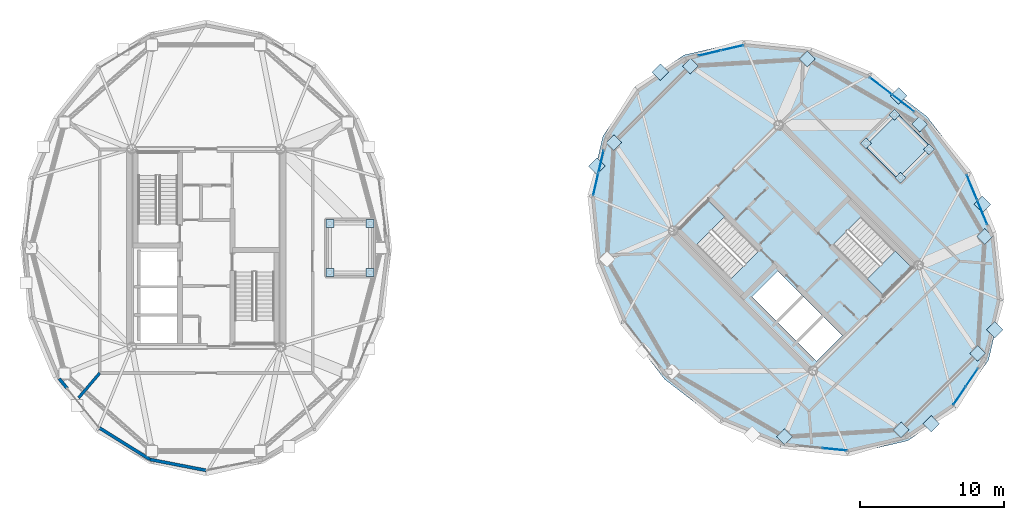
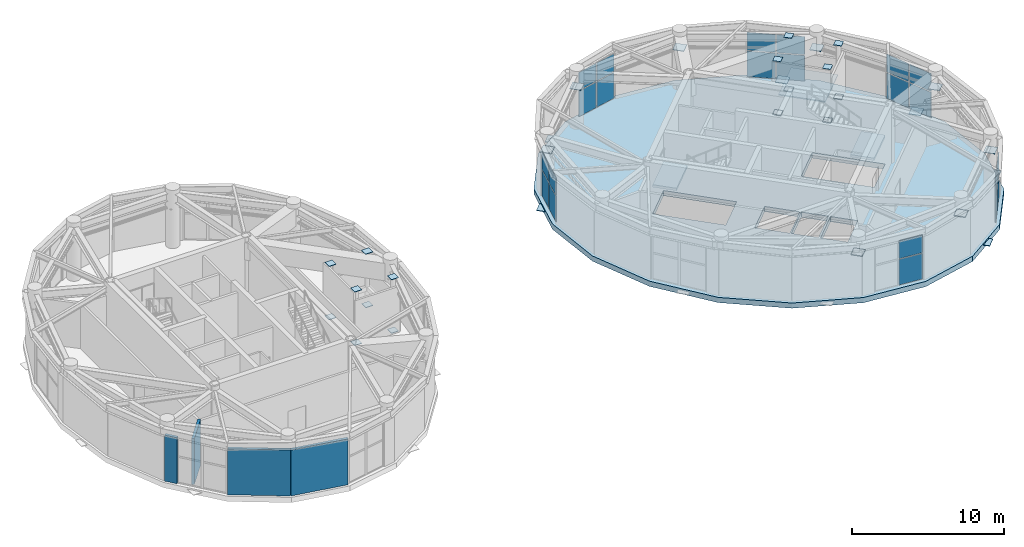
# One storey, part 22 of 28: 53 plates, 4 walls, 3 slabs, 8 elements without a shape of their own.
"""IFC4 building model written with IfcOpenShell, lengths in metres."""

from ifc_helpers import new_model, si_unit, direction, frame, frame_2d, origin, origin_2d, place, context, subcontext, project, spatial, polyline, rectangle, outline, extrude, source, transform, mapped, material, layer, layer_set, type_object, element, aggregate, save


model = new_model("IFC4")

# Units and contexts
model_context = context("Model", 3, precision=1e-05, world=origin(), true_north=direction((0.0, 1.0)))
body_context = subcontext(model_context, "Body", "Model", "MODEL_VIEW")
ifc_project = project(units=[si_unit("LENGTHUNIT", "METRE"), si_unit("AREAUNIT", "SQUARE_METRE"), si_unit("VOLUMEUNIT", "CUBIC_METRE"), si_unit("PLANEANGLEUNIT", "RADIAN"), si_unit("MASSUNIT", "GRAM", prefix="KILO")], contexts=[model_context])

# Site, building, storey
site_placement = place(None, origin())
site = spatial("IfcSite", under=ifc_project, at=site_placement, CompositionType="ELEMENT")
building_placement = place(site_placement, origin())
building = spatial("IfcBuilding", under=site, at=building_placement, Name="Cununo Teusaquillo Station Towers", CompositionType="ELEMENT")
storey_placement = place(building_placement, frame((0.0, 0.0, 235.64990234375)))
storey = spatial("IfcBuildingStorey", under=building, at=storey_placement, Name="L75", CompositionType="ELEMENT", Elevation=235.64990234375)

# Stair, slab
ifc_material_1 = material(Name="Concrete C50/60", Category="concrete")
stair_type = type_object("IfcStairType", Name="ST-TWR-1300", PredefinedType="HALF_TURN_STAIR", material=ifc_material_1)
stair_1_placement = place(storey_placement, origin())
stair_1 = element("IfcStair", 1, at=stair_1_placement, inside=storey, type_object=stair_type, Name="L75 Tower B Protected Core Exit Stair 1", PredefinedType="HALF_TURN_STAIR")
ifc_material_2 = material(Name="Concrete C50/60", Category="concrete")
ifc_layer_1 = layer(ifc_material_2, 0.199951171875)
ifc_layer_set_1 = layer_set([ifc_layer_1], Name="Concrete C50/60")
slab_type_1 = type_object("IfcSlabType", Name="SLB-STAIR-LND", PredefinedType="LANDING", material=ifc_layer_set_1)
slab_1_placement = place(storey_placement, frame((0.0, 0.0, 2.14013671875)))
slab_1 = element("IfcSlab", 2, at=slab_1_placement, type_object=slab_type_1, Name="ST-T2-1 landing 1", PredefinedType="LANDING", context=body_context, shape_type="SweptSolid", body=[
    extrude(outline(polyline([(52.543212890625, 26.65673828125), (51.390625, 27.809326171875), (49.43896484375, 25.857666015625), (50.591552734375, 24.705078125), (52.543212890625, 26.65673828125)])), origin(), (0.0, 0.0, 1.0), 0.199951171875),
])
aggregate(stair_1, [slab_1])

stair_2_placement = place(storey_placement, origin())
stair_2 = element("IfcStair", 3, at=stair_2_placement, inside=storey, type_object=stair_type, Name="L75 Tower B Protected Core Exit Stair 2", PredefinedType="HALF_TURN_STAIR")
slab_2_placement = place(storey_placement, frame((0.0, 0.0, 2.14013671875)))
slab_2 = element("IfcSlab", 4, at=slab_2_placement, type_object=slab_type_1, Name="ST-T2-2 landing 1", PredefinedType="LANDING", context=body_context, shape_type="SweptSolid", body=[
    extrude(outline(polyline([(62.456787109375, 22.34326171875), (63.609375, 21.190673828125), (65.56103515625, 23.142333984375), (64.408447265625, 24.294921875), (62.456787109375, 22.34326171875)])), origin(), (0.0, 0.0, 1.0), 0.199951171875),
])
aggregate(stair_2, [slab_2])

# Slab
ifc_material_3 = material(Name="Concrete C60/75", Category="concrete")
ifc_layer_2 = layer(ifc_material_3, 0.419921875)
ifc_layer_set_2 = layer_set([ifc_layer_2], Name="Concrete C60/75")
slab_type_2 = type_object("IfcSlabType", Name="SLB-TMD-420", PredefinedType="FLOOR", material=ifc_layer_set_2)
slab_3_placement = place(storey_placement, frame((0.0, 0.0, -0.419921875)))
element("IfcSlab", 5, at=slab_3_placement, inside=storey, type_object=slab_type_2, Name="L75 Tower B Floor Slab", PredefinedType="FLOOR", context=body_context, shape_type="SweptSolid", body=[
    extrude(outline(polyline([(66.628662109375, 33.628662109375), (62.740478515625, 36.623291015625), (58.339111328125, 38.431396484375), (53.855712890625, 38.875732421875), (49.72900390625, 37.912841796875), (46.363037109375, 35.636962890625), (44.087158203125, 32.27099609375), (43.124267578125, 28.144287109375), (43.568603515625, 23.660888671875), (45.376708984375, 19.259521484375), (48.371337890625, 15.371337890625), (52.259521484375, 12.376708984375), (56.660888671875, 10.568603515625), (61.144287109375, 10.124267578125), (65.27099609375, 11.087158203125), (68.636962890625, 13.363037109375), (70.912841796875, 16.72900390625), (71.875732421875, 20.855712890625), (71.431396484375, 25.339111328125), (69.623291015625, 29.740478515625), (66.628662109375, 33.628662109375)]), holes=[polyline([(54.914794921875, 24.28515625), (51.390625, 27.809326171875), (49.43896484375, 25.857666015625), (52.963134765625, 22.33349609375), (54.914794921875, 24.28515625)]), polyline([(60.085205078125, 24.71484375), (63.609375, 21.190673828125), (65.56103515625, 23.142333984375), (62.036865234375, 26.66650390625), (60.085205078125, 24.71484375)]), polyline([(56.156494140625, 19.40869140625), (57.945556640625, 21.19775390625), (56.248291015625, 22.89501953125), (54.45947265625, 21.10595703125), (56.156494140625, 19.40869140625)]), polyline([(58.94970703125, 16.61572265625), (60.738525390625, 18.40478515625), (59.430419921875, 19.712890625), (57.641357421875, 17.923828125), (58.94970703125, 16.61572265625)]), polyline([(57.535400390625, 18.030029296875), (59.32421875, 19.819091796875), (58.01611328125, 21.127197265625), (56.227294921875, 19.338134765625), (57.535400390625, 18.030029296875)])]), origin(), (0.0, 0.0, 1.0), 0.419921875),
])

# Plates
ifc_material_4 = material(Name="Steel ASTM A572 Grade 50", Category="steel")
ifc_layer_3 = layer(ifc_material_4, 0.0400390625)
ifc_layer_set_3 = layer_set([ifc_layer_3], Name="Steel ASTM A572 Grade 50")
plate_type_1 = type_object("IfcPlateType", Name="PLT-NODE-CRN1", PredefinedType="USERDEFINED", material=ifc_layer_set_3)
shared_shape_1 = source(origin(), body_context, "Body", "SweptSolid", [
    extrude(rectangle(XDim=0.780029296875, YDim=0.780029296875, at=origin_2d()), origin(), (0.0, 0.0, 1.0), 0.0400390625),
])
for number, where, z_axis, x_axis, name in (
    (6, (66.10693359375, 33.10693359375, 3.130126953125), (0.0, 0.0, 1.0), (0.707106781187, 0.707106781187, 0.0), "L75 Tower B Crown Drum Node CRN1 01"),
    (7, (58.291015625, 37.63525390625, 3.130126953125), (0.0, 0.0, 1.0), (0.707106781187, 0.707106781187, 0.0), "L75 Tower B Crown Drum Node CRN1 02"),
    (8, (50.173095703125, 37.146240234375, 3.130126953125), (0.0, 0.0, 1.0), (0.707106781187, 0.707106781187, 0.0), "L75 Tower B Crown Drum Node CRN1 03"),
    (9, (44.853759765625, 31.826904296875, 3.130126953125), (0.0, 0.0, 1.0), (0.707106781187, 0.707106781187, 0.0), "L75 Tower B Crown Drum Node CRN1 04"),
    (10, (56.708984375, 11.36474609375, 3.130126953125), (0.0, 0.0, 1.0), (0.707106781187, 0.707106781187, 0.0), "L75 Tower B Crown Drum Node CRN1 07"),
    (11, (64.826904296875, 11.853759765625, 3.130126953125), (0.0, 0.0, 1.0), (0.707106781187, 0.707106781187, 0.0), "L75 Tower B Crown Drum Node CRN1 08"),
    (12, (70.146240234375, 17.173095703125, 3.130126953125), (0.0, 0.0, 1.0), (0.707106781187, 0.707106781187, 0.0), "L75 Tower B Crown Drum Node CRN1 09"),
    (13, (70.63525390625, 25.291015625, 3.130126953125), (0.0, 0.0, 1.0), (0.707106781187, 0.707106781187, 0.0), "L75 Tower B Crown Drum Node CRN1 10"),
):
    element("IfcPlate", number, at=place(storey_placement, frame(where, z_axis=z_axis, x_axis=x_axis)), inside=storey, type_object=plate_type_1, Name=name, ObjectType="GUSSET PLATE", PredefinedType="USERDEFINED", context=body_context, shape_type="MappedRepresentation", body=[
        mapped(shared_shape_1, transform((0.0, 0.0, 0.0), x_axis=(1.0, 0.0, 0.0), y_axis=(0.0, 1.0, 0.0), z_axis=(0.0, 0.0, 1.0), scale=1.0)),
    ])
ifc_material_5 = material(Name="Steel ASTM A572 Grade 50", Category="steel")
ifc_layer_4 = layer(ifc_material_5, 0.044921875)
ifc_layer_set_4 = layer_set([ifc_layer_4], Name="Steel ASTM A572 Grade 50")
plate_type_2 = type_object("IfcPlateType", Name="PLT-NODE-DN2", PredefinedType="USERDEFINED", material=ifc_layer_set_4)
shared_shape_2 = source(origin(), body_context, "Body", "SweptSolid", [
    extrude(rectangle(XDim=0.820068359375, YDim=0.820068359375, at=origin_2d()), origin(), (0.0, 0.0, 1.0), 0.044921875),
])
for number, where, z_axis, x_axis, name in (
    (14, (64.649658203125, 35.078125, -0.162353515625), (0.0, 0.0, 1.0), (0.707106781187, 0.707106781187, 0.0), "L75 Tower B Diagrid Node Assembly C00"),
    (15, (48.080810546875, 36.72705078125, -0.162353515625), (0.0, 0.0, 1.0), (0.707106781187, 0.707106781187, 0.0), "L75 Tower B Diagrid Node Assembly C04"),
    (16, (43.662109375, 30.189208984375, -0.162353515625), (0.0, 0.0, 1.0), (0.707106781187, 0.707106781187, 0.0), "L75 Tower B Diagrid Node Assembly C06"),
    (17, (66.919189453125, 12.27294921875, -0.162353515625), (0.0, 0.0, 1.0), (0.707106781187, 0.707106781187, 0.0), "L75 Tower B Diagrid Node Assembly C14"),
    (18, (71.337890625, 18.810791015625, -0.162353515625), (0.0, 0.0, 1.0), (0.707106781187, 0.707106781187, 0.0), "L75 Tower B Diagrid Node Assembly C16"),
    (19, (70.47119140625, 27.521484375, -0.162353515625), (0.0, 0.0, 1.0), (0.707106781187, 0.707106781187, 0.0), "L75 Tower B Diagrid Node Assembly C18"),
):
    element("IfcPlate", number, at=place(storey_placement, frame(where, z_axis=z_axis, x_axis=x_axis)), inside=storey, type_object=plate_type_2, Name=name, ObjectType="GUSSET PLATE", PredefinedType="USERDEFINED", context=body_context, shape_type="MappedRepresentation", body=[
        mapped(shared_shape_2, transform((0.0, 0.0, 0.0), x_axis=(1.0, 0.0, 0.0), y_axis=(0.0, 1.0, 0.0), z_axis=(0.0, 0.0, 1.0), scale=1.0)),
    ])
shared_shape_3 = source(origin(), body_context, "Body", "SweptSolid", [
    extrude(rectangle(XDim=0.550048828125, YDim=0.550048828125, at=origin_2d()), origin(), (0.0, 0.0, 1.0), 0.0400390625),
])
for number, where, z_axis, x_axis, name in (
    (20, (25.10009765625, 22.800048828125, 0.0), (0.0, 0.0, 1.0), (1.0, 0.0, 0.0), "L75 Tower A TMD Post Plate BP 1"),
    (21, (25.10009765625, 22.800048828125, 4.300048828125), (0.0, 0.0, 1.0), (1.0, 0.0, 0.0), "L75 Tower A TMD Post Plate TP 1"),
    (22, (27.89990234375, 22.800048828125, 0.0), (0.0, 0.0, 1.0), (1.0, 0.0, 0.0), "L75 Tower A TMD Post Plate BP 2"),
    (23, (27.89990234375, 22.800048828125, 4.300048828125), (0.0, 0.0, 1.0), (1.0, 0.0, 0.0), "L75 Tower A TMD Post Plate TP 2"),
    (24, (27.89990234375, 26.199951171875, 0.0), (0.0, 0.0, 1.0), (1.0, 0.0, 0.0), "L75 Tower A TMD Post Plate BP 3"),
    (25, (27.89990234375, 26.199951171875, 4.300048828125), (0.0, 0.0, 1.0), (1.0, 0.0, 0.0), "L75 Tower A TMD Post Plate TP 3"),
    (26, (25.10009765625, 26.199951171875, 0.0), (0.0, 0.0, 1.0), (1.0, 0.0, 0.0), "L75 Tower A TMD Post Plate BP 4"),
    (27, (25.10009765625, 26.199951171875, 4.300048828125), (0.0, 0.0, 1.0), (1.0, 0.0, 0.0), "L75 Tower A TMD Post Plate TP 4"),
    (28, (64.783203125, 29.37890625, 0.0), (0.0, 0.0, 1.0), (0.707106781187, 0.707106781187, 0.0), "L75 Tower B TMD Post Plate BP 1"),
    (29, (64.783203125, 29.37890625, 4.300048828125), (0.0, 0.0, 1.0), (0.707106781187, 0.707106781187, 0.0), "L75 Tower B TMD Post Plate TP 1"),
    (30, (66.76318359375, 31.35888671875, 0.0), (0.0, 0.0, 1.0), (0.707106781187, 0.707106781187, 0.0), "L75 Tower B TMD Post Plate BP 2"),
    (31, (66.76318359375, 31.35888671875, 4.300048828125), (0.0, 0.0, 1.0), (0.707106781187, 0.707106781187, 0.0), "L75 Tower B TMD Post Plate TP 2"),
    (32, (64.35888671875, 33.76318359375, 0.0), (0.0, 0.0, 1.0), (0.707106781187, 0.707106781187, 0.0), "L75 Tower B TMD Post Plate BP 3"),
    (33, (64.35888671875, 33.76318359375, 4.300048828125), (0.0, 0.0, 1.0), (0.707106781187, 0.707106781187, 0.0), "L75 Tower B TMD Post Plate TP 3"),
    (34, (62.37890625, 31.783203125, 0.0), (0.0, 0.0, 1.0), (0.707106781187, 0.707106781187, 0.0), "L75 Tower B TMD Post Plate BP 4"),
    (35, (62.37890625, 31.783203125, 4.300048828125), (0.0, 0.0, 1.0), (0.707106781187, 0.707106781187, 0.0), "L75 Tower B TMD Post Plate TP 4"),
):
    element("IfcPlate", number, at=place(storey_placement, frame(where, z_axis=z_axis, x_axis=x_axis)), inside=storey, type_object=plate_type_1, Name=name, ObjectType="GUSSET PLATE", PredefinedType="USERDEFINED", context=body_context, shape_type="MappedRepresentation", body=[
        mapped(shared_shape_3, transform((0.0, 0.0, 0.0), x_axis=(1.0, 0.0, 0.0), y_axis=(0.0, 1.0, 0.0), z_axis=(0.0, 0.0, 1.0), scale=1.0)),
    ])
ifc_material_6 = material(Name="Steel ASTM A572 Grade 50", Category="steel")
ifc_layer_5 = layer(ifc_material_6, 0.090087890625)
ifc_layer_set_5 = layer_set([ifc_layer_5], Name="Steel ASTM A572 Grade 50")
plate_type_3 = type_object("IfcPlateType", Name="PLT-TMD-MASS", PredefinedType="SHEET", material=ifc_layer_set_5)
shared_shape_4 = source(origin(), body_context, "Body", "SweptSolid", [
    extrude(rectangle(XDim=3.199951171875, YDim=3.199951171875, at=origin_2d()), origin(), (0.0, 0.0, 1.0), 0.090087890625),
])
plate_1_placement = place(storey_placement, frame((64.571044921875, 31.571044921875, 1.55029296875), z_axis=(0.0, 0.0, 1.0), x_axis=(0.707106781187, 0.707106781187, 0.0)))
element("IfcPlate", 36, at=plate_1_placement, inside=storey, type_object=plate_type_3, Name="L75 Tower B Tuned Mass Damper Steel Inertia Mass", PredefinedType="SHEET", context=body_context, shape_type="MappedRepresentation", body=[
    mapped(shared_shape_4, transform((0.0, 0.0, 0.0), x_axis=(1.0, 0.0, 0.0), y_axis=(0.0, 1.0, 0.0), z_axis=(0.0, 0.0, 1.0), scale=1.0)),
])

# Curtain wall, plates
ifc_material_7 = material(Name="Ceramic-fritted dark low-E double glazing", Category="glass")
ifc_layer_6 = layer(ifc_material_7, 0.179931640625)
ifc_layer_set_6 = layer_set([ifc_layer_6], Name="Ceramic-fritted dark low-E double glazing")
curtain_wall_type = type_object("IfcCurtainWallType", Name="CW-SYS-08", PredefinedType="USERDEFINED", material=ifc_layer_set_6)
curtain_wall_1_placement = place(storey_placement, origin())
curtain_wall_1 = element("IfcCurtainWall", 37, at=curtain_wall_1_placement, inside=storey, type_object=curtain_wall_type, Name="L75 Tower B Crown Drum Glazed Screen C00", ObjectType="FRITTED GLAZING", PredefinedType="USERDEFINED")
ifc_material_8 = material(Name="Ceramic-fritted dark low-E double glazing", Category="glass")
ifc_layer_7 = layer(ifc_material_8, 0.030029296875)
ifc_layer_set_7 = layer_set([ifc_layer_7], Name="Ceramic-fritted dark low-E double glazing")
plate_type_4 = type_object("IfcPlateType", Name="CWP-DRUM-30", PredefinedType="CURTAIN_PANEL", material=ifc_layer_set_7)
shared_shape_5 = source(origin(), body_context, "Body", "SweptSolid", [
    extrude(rectangle(XDim=1.8876953125, YDim=0.030029296875, at=origin_2d()), origin(), (0.0, 0.0, 1.0), 2.052490234375),
])
plate_2_placement = place(storey_placement, frame((63.412353515625, 35.758056640625, 0.06494140625), z_axis=(0.0, 0.0, 1.0), x_axis=(0.791965285757, -0.610566119397, 0.0)))
plate_2 = element("IfcPlate", 38, at=plate_2_placement, type_object=plate_type_4, Name="CW-08 panel 1.1", PredefinedType="CURTAIN_PANEL", context=body_context, shape_type="MappedRepresentation", body=[
    mapped(shared_shape_5, transform((0.0, 0.0, 0.0), x_axis=(1.0, 0.0, 0.0), y_axis=(0.0, 1.0, 0.0), z_axis=(0.0, 0.0, 1.0), scale=1.0)),
])
plate_3_placement = place(storey_placement, frame((64.958740234375, 34.565673828125, 0.06494140625), z_axis=(0.0, 0.0, 1.0), x_axis=(0.791965285757, -0.610566119397, 0.0)))
plate_3 = element("IfcPlate", 39, at=plate_3_placement, type_object=plate_type_4, Name="CW-08 panel 2.1", PredefinedType="CURTAIN_PANEL", context=body_context, shape_type="MappedRepresentation", body=[
    mapped(shared_shape_5, transform((0.0, 0.0, 0.0), x_axis=(1.0, 0.0, 0.0), y_axis=(0.0, 1.0, 0.0), z_axis=(0.0, 0.0, 1.0), scale=1.0)),
])
shared_shape_6 = source(origin(), body_context, "Body", "SweptSolid", [
    extrude(rectangle(XDim=1.8876953125, YDim=0.030029296875, at=origin_2d()), origin(), (0.0, 0.0, 1.0), 1.448486328125),
])
plate_4_placement = place(storey_placement, frame((63.412353515625, 35.758056640625, 2.1826171875), z_axis=(0.0, 0.0, 1.0), x_axis=(0.791965285757, -0.610566119397, 0.0)))
plate_4 = element("IfcPlate", 40, at=plate_4_placement, type_object=plate_type_4, Name="CW-08 panel 1.2", PredefinedType="CURTAIN_PANEL", context=body_context, shape_type="MappedRepresentation", body=[
    mapped(shared_shape_6, transform((0.0, 0.0, 0.0), x_axis=(1.0, 0.0, 0.0), y_axis=(0.0, 1.0, 0.0), z_axis=(0.0, 0.0, 1.0), scale=1.0)),
])
plate_5_placement = place(storey_placement, frame((64.958740234375, 34.565673828125, 2.1826171875), z_axis=(0.0, 0.0, 1.0), x_axis=(0.791965285757, -0.610566119397, 0.0)))
plate_5 = element("IfcPlate", 41, at=plate_5_placement, type_object=plate_type_4, Name="CW-08 panel 2.2", PredefinedType="CURTAIN_PANEL", context=body_context, shape_type="MappedRepresentation", body=[
    mapped(shared_shape_6, transform((0.0, 0.0, 0.0), x_axis=(1.0, 0.0, 0.0), y_axis=(0.0, 1.0, 0.0), z_axis=(0.0, 0.0, 1.0), scale=1.0)),
])
aggregate(curtain_wall_1, [plate_2, plate_4, plate_3, plate_5])

curtain_wall_2_placement = place(storey_placement, origin())
curtain_wall_2 = element("IfcCurtainWall", 42, at=curtain_wall_2_placement, inside=storey, type_object=curtain_wall_type, Name="L75 Tower B Crown Drum Glazed Screen C12", ObjectType="FRITTED GLAZING", PredefinedType="USERDEFINED")
shared_shape_7 = source(origin(), body_context, "Body", "SweptSolid", [
    extrude(rectangle(XDim=1.6865234375, YDim=0.030029296875, at=origin_2d()), origin(), (0.0, 0.0, 1.0), 2.052490234375),
])
plate_6_placement = place(storey_placement, frame((60.19677734375, 10.4921875, 0.06494140625), z_axis=(0.0, 0.0, 1.0), x_axis=(-0.994934273111, 0.1005275693, 0.0)))
plate_6 = element("IfcPlate", 43, at=plate_6_placement, type_object=plate_type_4, Name="CW-08 panel 1.1", PredefinedType="CURTAIN_PANEL", context=body_context, shape_type="MappedRepresentation", body=[
    mapped(shared_shape_7, transform((0.0, 0.0, 0.0), x_axis=(1.0, 0.0, 0.0), y_axis=(0.0, 1.0, 0.0), z_axis=(0.0, 0.0, 1.0), scale=1.0)),
])
shared_shape_8 = source(origin(), body_context, "Body", "SweptSolid", [
    extrude(rectangle(XDim=1.6865234375, YDim=0.030029296875, at=origin_2d()), origin(), (0.0, 0.0, 1.0), 1.448486328125),
])
plate_7_placement = place(storey_placement, frame((60.19677734375, 10.4921875, 2.1826171875), z_axis=(0.0, 0.0, 1.0), x_axis=(-0.994934273111, 0.1005275693, 0.0)))
plate_7 = element("IfcPlate", 44, at=plate_7_placement, type_object=plate_type_4, Name="CW-08 panel 1.2", PredefinedType="CURTAIN_PANEL", context=body_context, shape_type="MappedRepresentation", body=[
    mapped(shared_shape_8, transform((0.0, 0.0, 0.0), x_axis=(1.0, 0.0, 0.0), y_axis=(0.0, 1.0, 0.0), z_axis=(0.0, 0.0, 1.0), scale=1.0)),
])
aggregate(curtain_wall_2, [plate_6, plate_7])

curtain_wall_3_placement = place(storey_placement, origin())
curtain_wall_3 = element("IfcCurtainWall", 45, at=curtain_wall_3_placement, inside=storey, type_object=curtain_wall_type, Name="L75 Tower B Crown Drum Glazed Screen C15", ObjectType="FRITTED GLAZING", PredefinedType="USERDEFINED")
shared_shape_9 = source(origin(), body_context, "Body", "SweptSolid", [
    extrude(rectangle(XDim=1.46533203125, YDim=0.030029296875, at=origin_2d()), origin(), (0.0, 0.0, 1.0), 2.052490234375),
])
plate_8_placement = place(storey_placement, frame((69.741455078125, 15.490478515625, 0.06494140625), z_axis=(0.0, 0.0, 1.0), x_axis=(-0.559504724592, -0.82882716121, 0.0)))
plate_8 = element("IfcPlate", 46, at=plate_8_placement, type_object=plate_type_4, Name="CW-08 panel 1.1", PredefinedType="CURTAIN_PANEL", context=body_context, shape_type="MappedRepresentation", body=[
    mapped(shared_shape_9, transform((0.0, 0.0, 0.0), x_axis=(1.0, 0.0, 0.0), y_axis=(0.0, 1.0, 0.0), z_axis=(0.0, 0.0, 1.0), scale=1.0)),
])
plate_9_placement = place(storey_placement, frame((68.88525390625, 14.22216796875, 0.06494140625), z_axis=(0.0, 0.0, 1.0), x_axis=(-0.559504724592, -0.82882716121, 0.0)))
plate_9 = element("IfcPlate", 47, at=plate_9_placement, type_object=plate_type_4, Name="CW-08 panel 2.1", PredefinedType="CURTAIN_PANEL", context=body_context, shape_type="MappedRepresentation", body=[
    mapped(shared_shape_9, transform((0.0, 0.0, 0.0), x_axis=(1.0, 0.0, 0.0), y_axis=(0.0, 1.0, 0.0), z_axis=(0.0, 0.0, 1.0), scale=1.0)),
])
shared_shape_10 = source(origin(), body_context, "Body", "SweptSolid", [
    extrude(rectangle(XDim=1.46533203125, YDim=0.030029296875, at=origin_2d()), origin(), (0.0, 0.0, 1.0), 1.448486328125),
])
plate_10_placement = place(storey_placement, frame((69.741455078125, 15.490478515625, 2.1826171875), z_axis=(0.0, 0.0, 1.0), x_axis=(-0.559504724592, -0.82882716121, 0.0)))
plate_10 = element("IfcPlate", 48, at=plate_10_placement, type_object=plate_type_4, Name="CW-08 panel 1.2", PredefinedType="CURTAIN_PANEL", context=body_context, shape_type="MappedRepresentation", body=[
    mapped(shared_shape_10, transform((0.0, 0.0, 0.0), x_axis=(1.0, 0.0, 0.0), y_axis=(0.0, 1.0, 0.0), z_axis=(0.0, 0.0, 1.0), scale=1.0)),
])
plate_11_placement = place(storey_placement, frame((68.88525390625, 14.22216796875, 2.1826171875), z_axis=(0.0, 0.0, 1.0), x_axis=(-0.559504724592, -0.82882716121, 0.0)))
plate_11 = element("IfcPlate", 49, at=plate_11_placement, type_object=plate_type_4, Name="CW-08 panel 2.2", PredefinedType="CURTAIN_PANEL", context=body_context, shape_type="MappedRepresentation", body=[
    mapped(shared_shape_10, transform((0.0, 0.0, 0.0), x_axis=(1.0, 0.0, 0.0), y_axis=(0.0, 1.0, 0.0), z_axis=(0.0, 0.0, 1.0), scale=1.0)),
])
aggregate(curtain_wall_3, [plate_8, plate_10, plate_9, plate_11])

curtain_wall_4_placement = place(storey_placement, origin())
curtain_wall_4 = element("IfcCurtainWall", 50, at=curtain_wall_4_placement, inside=storey, type_object=curtain_wall_type, Name="L75 Tower B Crown Drum Glazed Screen C03", ObjectType="FRITTED GLAZING", PredefinedType="USERDEFINED")
shared_shape_11 = source(origin(), body_context, "Body", "SweptSolid", [
    extrude(rectangle(XDim=1.552734375, YDim=0.030029296875, at=origin_2d()), origin(), (0.0, 0.0, 1.0), 2.052490234375),
])
plate_12_placement = place(storey_placement, frame((51.50390625, 38.044677734375, 0.06494140625), z_axis=(0.0, 0.0, 1.0), x_axis=(0.974251080132, 0.225465813065, 0.0)))
plate_12 = element("IfcPlate", 51, at=plate_12_placement, type_object=plate_type_4, Name="CW-08 panel 1.1", PredefinedType="CURTAIN_PANEL", context=body_context, shape_type="MappedRepresentation", body=[
    mapped(shared_shape_11, transform((0.0, 0.0, 0.0), x_axis=(1.0, 0.0, 0.0), y_axis=(0.0, 1.0, 0.0), z_axis=(0.0, 0.0, 1.0), scale=1.0)),
])
plate_13_placement = place(storey_placement, frame((53.079833984375, 38.409423828125, 0.06494140625), z_axis=(0.0, 0.0, 1.0), x_axis=(0.974251080132, 0.225465813065, 0.0)))
plate_13 = element("IfcPlate", 52, at=plate_13_placement, type_object=plate_type_4, Name="CW-08 panel 2.1", PredefinedType="CURTAIN_PANEL", context=body_context, shape_type="MappedRepresentation", body=[
    mapped(shared_shape_11, transform((0.0, 0.0, 0.0), x_axis=(1.0, 0.0, 0.0), y_axis=(0.0, 1.0, 0.0), z_axis=(0.0, 0.0, 1.0), scale=1.0)),
])

curtain_wall_5_placement = place(storey_placement, origin())
curtain_wall_5 = element("IfcCurtainWall", 53, at=curtain_wall_5_placement, inside=storey, type_object=curtain_wall_type, Name="L75 Tower B Crown Drum Glazed Screen C06", ObjectType="FRITTED GLAZING", PredefinedType="USERDEFINED")
plate_14_placement = place(storey_placement, frame((43.590576171875, 28.920166015625, 0.06494140625), z_axis=(0.0, 0.0, 1.0), x_axis=(0.225465813065, 0.974251080132, 0.0)))
plate_14 = element("IfcPlate", 54, at=plate_14_placement, type_object=plate_type_4, Name="CW-08 panel 1.1", PredefinedType="CURTAIN_PANEL", context=body_context, shape_type="MappedRepresentation", body=[
    mapped(shared_shape_11, transform((0.0, 0.0, 0.0), x_axis=(1.0, 0.0, 0.0), y_axis=(0.0, 1.0, 0.0), z_axis=(0.0, 0.0, 1.0), scale=1.0)),
])
plate_15_placement = place(storey_placement, frame((43.955322265625, 30.49609375, 0.06494140625), z_axis=(0.0, 0.0, 1.0), x_axis=(0.225465813065, 0.974251080132, 0.0)))
plate_15 = element("IfcPlate", 55, at=plate_15_placement, type_object=plate_type_4, Name="CW-08 panel 2.1", PredefinedType="CURTAIN_PANEL", context=body_context, shape_type="MappedRepresentation", body=[
    mapped(shared_shape_11, transform((0.0, 0.0, 0.0), x_axis=(1.0, 0.0, 0.0), y_axis=(0.0, 1.0, 0.0), z_axis=(0.0, 0.0, 1.0), scale=1.0)),
])

# Plate
shared_shape_12 = source(origin(), body_context, "Body", "SweptSolid", [
    extrude(rectangle(XDim=1.552734375, YDim=0.030029296875, at=origin_2d()), origin(), (0.0, 0.0, 1.0), 1.448486328125),
])
plate_16_placement = place(storey_placement, frame((51.50390625, 38.044677734375, 2.1826171875), z_axis=(0.0, 0.0, 1.0), x_axis=(0.974251080132, 0.225465813065, 0.0)))
plate_16 = element("IfcPlate", 56, at=plate_16_placement, type_object=plate_type_4, Name="CW-08 panel 1.2", PredefinedType="CURTAIN_PANEL", context=body_context, shape_type="MappedRepresentation", body=[
    mapped(shared_shape_12, transform((0.0, 0.0, 0.0), x_axis=(1.0, 0.0, 0.0), y_axis=(0.0, 1.0, 0.0), z_axis=(0.0, 0.0, 1.0), scale=1.0)),
])

plate_17_placement = place(storey_placement, frame((53.079833984375, 38.409423828125, 2.1826171875), z_axis=(0.0, 0.0, 1.0), x_axis=(0.974251080132, 0.225465813065, 0.0)))
plate_17 = element("IfcPlate", 57, at=plate_17_placement, type_object=plate_type_4, Name="CW-08 panel 2.2", PredefinedType="CURTAIN_PANEL", context=body_context, shape_type="MappedRepresentation", body=[
    mapped(shared_shape_12, transform((0.0, 0.0, 0.0), x_axis=(1.0, 0.0, 0.0), y_axis=(0.0, 1.0, 0.0), z_axis=(0.0, 0.0, 1.0), scale=1.0)),
])

aggregate(curtain_wall_4, [plate_12, plate_16, plate_13, plate_17])

plate_18_placement = place(storey_placement, frame((43.590576171875, 28.920166015625, 2.1826171875), z_axis=(0.0, 0.0, 1.0), x_axis=(0.225465813065, 0.974251080132, 0.0)))
plate_18 = element("IfcPlate", 58, at=plate_18_placement, type_object=plate_type_4, Name="CW-08 panel 1.2", PredefinedType="CURTAIN_PANEL", context=body_context, shape_type="MappedRepresentation", body=[
    mapped(shared_shape_12, transform((0.0, 0.0, 0.0), x_axis=(1.0, 0.0, 0.0), y_axis=(0.0, 1.0, 0.0), z_axis=(0.0, 0.0, 1.0), scale=1.0)),
])

plate_19_placement = place(storey_placement, frame((43.955322265625, 30.49609375, 2.1826171875), z_axis=(0.0, 0.0, 1.0), x_axis=(0.225465813065, 0.974251080132, 0.0)))
plate_19 = element("IfcPlate", 59, at=plate_19_placement, type_object=plate_type_4, Name="CW-08 panel 2.2", PredefinedType="CURTAIN_PANEL", context=body_context, shape_type="MappedRepresentation", body=[
    mapped(shared_shape_12, transform((0.0, 0.0, 0.0), x_axis=(1.0, 0.0, 0.0), y_axis=(0.0, 1.0, 0.0), z_axis=(0.0, 0.0, 1.0), scale=1.0)),
])

aggregate(curtain_wall_5, [plate_14, plate_18, plate_15, plate_19])

# Curtain wall, plates
curtain_wall_6_placement = place(storey_placement, origin())
curtain_wall_6 = element("IfcCurtainWall", 60, at=curtain_wall_6_placement, inside=storey, type_object=curtain_wall_type, Name="L75 Tower B Crown Drum Glazed Screen C18", ObjectType="FRITTED GLAZING", PredefinedType="USERDEFINED")
shared_shape_13 = source(origin(), body_context, "Body", "SweptSolid", [
    extrude(rectangle(XDim=1.81298828125, YDim=0.030029296875, at=origin_2d()), origin(), (0.0, 0.0, 1.0), 2.052490234375),
])
plate_20_placement = place(storey_placement, frame((69.744384765625, 28.71533203125, 0.06494140625), z_axis=(0.0, 0.0, 1.0), x_axis=(0.381310513086, -0.924447019904, 0.0)))
plate_20 = element("IfcPlate", 61, at=plate_20_placement, type_object=plate_type_4, Name="CW-08 panel 1.1", PredefinedType="CURTAIN_PANEL", context=body_context, shape_type="MappedRepresentation", body=[
    mapped(shared_shape_13, transform((0.0, 0.0, 0.0), x_axis=(1.0, 0.0, 0.0), y_axis=(0.0, 1.0, 0.0), z_axis=(0.0, 0.0, 1.0), scale=1.0)),
])
plate_21_placement = place(storey_placement, frame((70.46044921875, 26.979248046875, 0.06494140625), z_axis=(0.0, 0.0, 1.0), x_axis=(0.381310513086, -0.924447019904, 0.0)))
plate_21 = element("IfcPlate", 62, at=plate_21_placement, type_object=plate_type_4, Name="CW-08 panel 2.1", PredefinedType="CURTAIN_PANEL", context=body_context, shape_type="MappedRepresentation", body=[
    mapped(shared_shape_13, transform((0.0, 0.0, 0.0), x_axis=(1.0, 0.0, 0.0), y_axis=(0.0, 1.0, 0.0), z_axis=(0.0, 0.0, 1.0), scale=1.0)),
])
shared_shape_14 = source(origin(), body_context, "Body", "SweptSolid", [
    extrude(rectangle(XDim=1.81298828125, YDim=0.030029296875, at=origin_2d()), origin(), (0.0, 0.0, 1.0), 1.448486328125),
])
plate_22_placement = place(storey_placement, frame((69.744384765625, 28.71533203125, 2.1826171875), z_axis=(0.0, 0.0, 1.0), x_axis=(0.381310513086, -0.924447019904, 0.0)))
plate_22 = element("IfcPlate", 63, at=plate_22_placement, type_object=plate_type_4, Name="CW-08 panel 1.2", PredefinedType="CURTAIN_PANEL", context=body_context, shape_type="MappedRepresentation", body=[
    mapped(shared_shape_14, transform((0.0, 0.0, 0.0), x_axis=(1.0, 0.0, 0.0), y_axis=(0.0, 1.0, 0.0), z_axis=(0.0, 0.0, 1.0), scale=1.0)),
])
plate_23_placement = place(storey_placement, frame((70.46044921875, 26.979248046875, 2.1826171875), z_axis=(0.0, 0.0, 1.0), x_axis=(0.381310513086, -0.924447019904, 0.0)))
plate_23 = element("IfcPlate", 64, at=plate_23_placement, type_object=plate_type_4, Name="CW-08 panel 2.2", PredefinedType="CURTAIN_PANEL", context=body_context, shape_type="MappedRepresentation", body=[
    mapped(shared_shape_14, transform((0.0, 0.0, 0.0), x_axis=(1.0, 0.0, 0.0), y_axis=(0.0, 1.0, 0.0), z_axis=(0.0, 0.0, 1.0), scale=1.0)),
])
aggregate(curtain_wall_6, [plate_20, plate_22, plate_21, plate_23])

# Walls
ifc_material_9 = material(Name="Precast concrete C40/50", Category="concrete")
ifc_layer_8 = layer(ifc_material_9, 0.219970703125)
ifc_layer_set_8 = layer_set([ifc_layer_8], Name="Precast concrete C40/50")
wall_type_1 = type_object("IfcWallType", Name="WL-EXT-220", PredefinedType="SOLIDWALL", material=ifc_layer_set_8)
wall_1_placement = place(storey_placement, frame((6.832275390625, 14.733154296875, 0.0), z_axis=(0.0, 0.0, 1.0), x_axis=(-0.632534570862, 0.774532127587, 0.0)))
element("IfcWall", 65, at=wall_1_placement, inside=storey, type_object=wall_type_1, Name="L75 Tower A Crown Drum Pier Cassette C12-PB", PredefinedType="SOLIDWALL", context=body_context, shape_type="SweptSolid", body=[
    extrude(rectangle(XDim=0.869873046875, YDim=0.219970703125, at=frame_2d((0.43505859375, 0.0))), origin(), (0.0, 0.0, 1.0), 3.696044921875),
])
wall_2_placement = place(storey_placement, frame((12.59716796875, 9.787109375, 0.0), z_axis=(0.0, 0.0, 1.0), x_axis=(-0.848318713376, 0.529485939886, 0.0)))
element("IfcWall", 66, at=wall_2_placement, inside=storey, type_object=wall_type_1, Name="L75 Tower A Crown Drum Spandrel Cassette C13", PredefinedType="SOLIDWALL", context=body_context, shape_type="SweptSolid", body=[
    extrude(rectangle(XDim=4.150390625, YDim=0.219970703125, at=frame_2d((2.0751953125, 0.0))), origin(), (0.0, 0.0, 1.0), 3.696044921875),
])
wall_3_placement = place(storey_placement, frame((16.5, 9.030029296875, 0.0), z_axis=(0.0, 0.0, 1.0), x_axis=(-0.981700307484, 0.190432419211, 0.0)))
element("IfcWall", 67, at=wall_3_placement, inside=storey, type_object=wall_type_1, Name="L75 Tower A Crown Drum Spandrel Cassette C14", PredefinedType="SOLIDWALL", context=body_context, shape_type="SweptSolid", body=[
    extrude(rectangle(XDim=3.9755859375, YDim=0.219970703125, at=frame_2d((1.98779296875, 0.0))), origin(), (0.0, 0.0, 1.0), 3.696044921875),
])
ifc_material_10 = material(Name="Fire-rated gypsum plasterboard partition assembly", Category="gypsum")
ifc_layer_9 = layer(ifc_material_10, 0.199951171875)
ifc_layer_set_9 = layer_set([ifc_layer_9], Name="Fire-rated gypsum plasterboard partition assembly")
wall_type_2 = type_object("IfcWallType", Name="WL-PART-200", PredefinedType="PARTITIONING", material=ifc_layer_set_9)
wall_4_placement = place(storey_placement, frame((9.10009765625, 15.800048828125, 0.0), z_axis=(0.0, 0.0, 1.0), x_axis=(-0.647910417059, -0.761716542729, 0.0)))
element("IfcWall", 68, at=wall_4_placement, inside=storey, type_object=wall_type_2, Name="L75 Tower A Crown Radial Wall Q4", PredefinedType="PARTITIONING", context=body_context, shape_type="SweptSolid", body=[
    extrude(rectangle(XDim=2.271728515625, YDim=0.199951171875, at=frame_2d((1.1357421875, 0.0))), origin(), (0.0, 0.0, 1.0), 3.696044921875),
])

save(model, "model.ifc")
